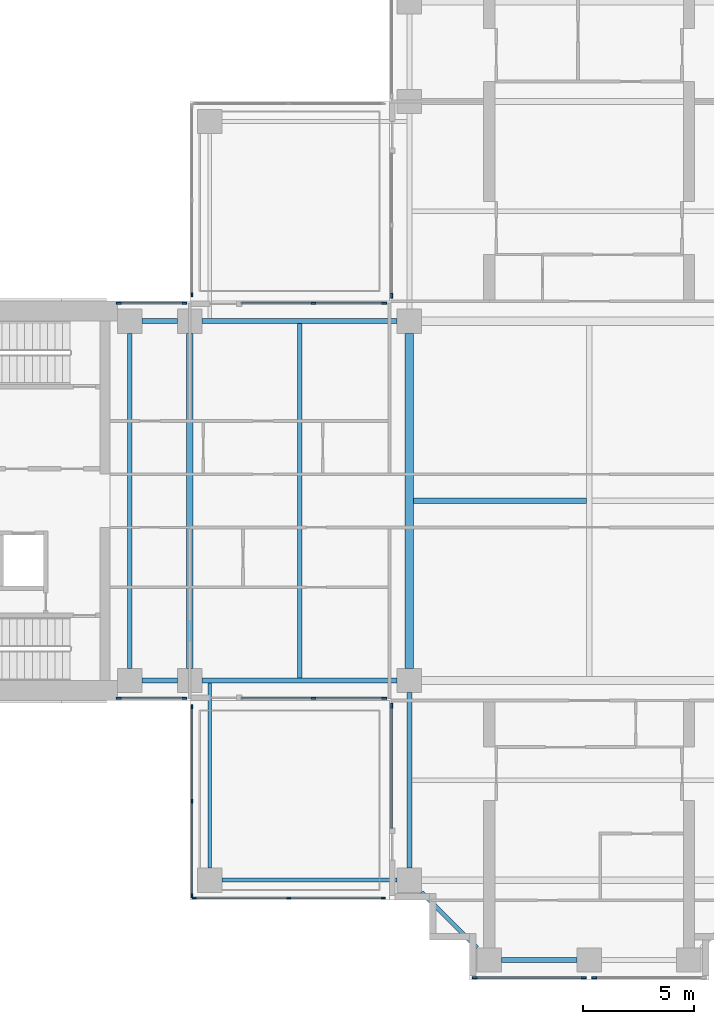
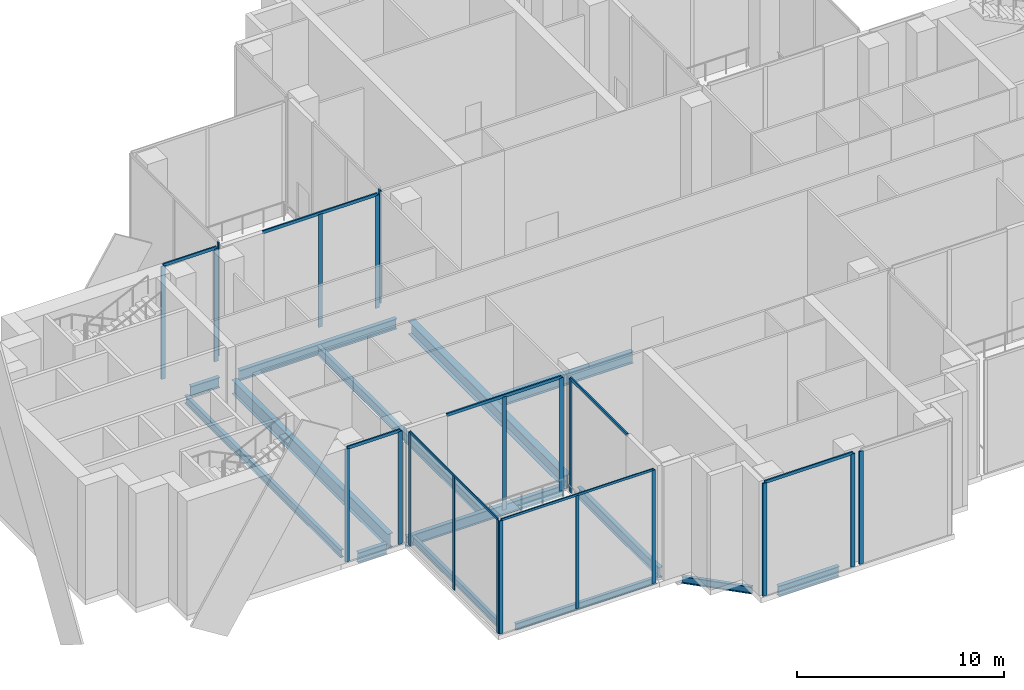
# One storey, part 2 of 17: 28 members, 14 beams, 11 elements without a shape of their own.
"""IFC4 building model written with IfcOpenShell, lengths in metres."""

import ifcopenshell
import ifcopenshell.guid

model = None  # the IFC model being written
_history = None  # IfcOwnerHistory: only IFC2X3 demands one
_inside = {}  # id of a spatial element -> (the spatial element, [elements in it])
_under = {}  # id of a project, library or spatial element -> (it, [spatial elements below it])
_declared = {}  # id of a project -> (the project, [libraries it declares])
_typed = {}  # id of a type object -> (the type object, [elements of that type])
_made_of = {}  # id of a material, layer set ... -> (it, [elements and type objects made of it])


def new_model(schema):
    """Start an empty IFC model of exactly this schema.

    Asked for "IFC4X3", IfcOpenShell would pick the latest addendum, in which some entities
    have other attributes; the version numbers below select the first issue.
    IFC2X3 requires an IfcOwnerHistory on every rooted entity: one is made here for all.
    """
    global model, _history
    if schema == "IFC4X3":
        model = ifcopenshell.file(schema_version=(4, 3, 0, 0))
    else:
        model = ifcopenshell.file(schema=schema)
    _inside.clear()
    _under.clear()
    _declared.clear()
    _typed.clear()
    _made_of.clear()
    _history = None
    if model.schema == "IFC2X3":
        org = make("IfcOrganization", Name="unknown")
        user = make(
            "IfcPersonAndOrganization",
            ThePerson=make("IfcPerson", FamilyName="unknown"),
            TheOrganization=org,
        )
        app = make(
            "IfcApplication",
            ApplicationDeveloper=org,
            Version="unknown",
            ApplicationFullName="unknown",
            ApplicationIdentifier="unknown",
        )
        _history = make(
            "IfcOwnerHistory",
            OwningUser=user,
            OwningApplication=app,
            ChangeAction="ADDED",
            CreationDate=0,
        )
    return model


def make(cls, **values):
    """One entity of the class cls with the attributes given. An attribute that is None is left unset."""
    return model.create_entity(
        cls, **{name: value for name, value in values.items() if value is not None}
    )


def rooted(cls, **values):
    """An entity with a GlobalId (a new one), such as an element, a storey or a relation."""
    return make(cls, GlobalId=ifcopenshell.guid.new(), OwnerHistory=_history, **values)


def si_unit(unit_type, name, prefix=None):
    """IfcSIUnit, for example si_unit("LENGTHUNIT", "METRE", prefix="MILLI")."""
    return make("IfcSIUnit", UnitType=unit_type, Prefix=prefix, Name=name)


def assignment(units):
    """IfcUnitAssignment: the units of a project."""
    return None if units is None else make("IfcUnitAssignment", Units=units)


def point(xyz):
    """IfcCartesianPoint."""
    return None if xyz is None else make("IfcCartesianPoint", Coordinates=xyz)


def direction(xyz):
    """IfcDirection."""
    return None if xyz is None else make("IfcDirection", DirectionRatios=xyz)


def frame(location, z_axis=None, x_axis=None):
    """IfcAxis2Placement3D, a coordinate frame: its origin and axes. An axis left out is left unset."""
    return make(
        "IfcAxis2Placement3D",
        Location=point(location),
        Axis=direction(z_axis),
        RefDirection=direction(x_axis),
    )


def frame_2d(location, x_axis=None):
    """IfcAxis2Placement2D, a coordinate frame in the plane: its origin and x axis."""
    return make(
        "IfcAxis2Placement2D", Location=point(location), RefDirection=direction(x_axis)
    )


def origin():
    """The frame at (0, 0, 0) with its axes left unset."""
    return frame((0.0, 0.0, 0.0))


def origin_2d():
    """The frame at (0, 0) in the plane with its x axis left unset."""
    return frame_2d((0.0, 0.0))


def place(relative_to, where):
    """IfcLocalPlacement: puts the frame where relative to a parent placement (None: the world)."""
    return make(
        "IfcLocalPlacement", PlacementRelTo=relative_to, RelativePlacement=where
    )


def context(
    kind, dimensions, precision=None, world=None, true_north=None, identifier=None
):
    """IfcGeometricRepresentationContext, for example the 3D "Model" context."""
    return make(
        "IfcGeometricRepresentationContext",
        ContextIdentifier=identifier,
        ContextType=kind,
        CoordinateSpaceDimension=dimensions,
        Precision=precision,
        WorldCoordinateSystem=world,
        TrueNorth=true_north,
    )


def subcontext(parent, identifier, kind, view, scale=None):
    """IfcGeometricRepresentationSubContext, for example "Body" below "Model"."""
    return make(
        "IfcGeometricRepresentationSubContext",
        ContextIdentifier=identifier,
        ContextType=kind,
        ParentContext=parent,
        TargetScale=scale,
        TargetView=view,
    )


def project(units=None, contexts=None):
    """IfcProject with its units and contexts."""
    return rooted(
        "IfcProject",
        Name="project",
        RepresentationContexts=contexts,
        UnitsInContext=assignment(units),
    )


def spatial(cls, under=None, at=None, **own):
    """A site, building, storey or space (cls), placed at a placement, below another one or the project."""
    s = rooted(cls, ObjectPlacement=at, **own)
    if under is not None:
        _under.setdefault(under.id(), (under, []))[1].append(s)
    return s


def profile(cls, at=None, kind="AREA", **sizes):
    """A parametric profile (cls). Its sizes go by their IFC names, for example OverallWidth=200.0."""
    return make(cls, ProfileType=kind, Position=at, **sizes)


def rectangle(**sizes):
    """IfcRectangleProfileDef."""
    return profile("IfcRectangleProfileDef", **sizes)


def i_section(**sizes):
    """IfcIShapeProfileDef."""
    return profile("IfcIShapeProfileDef", **sizes)


def extrude(swept, where, along, depth):
    """IfcExtrudedAreaSolid: the profile swept, set in the frame where, extruded along a direction by depth."""
    return make(
        "IfcExtrudedAreaSolid",
        SweptArea=swept,
        Position=where,
        ExtrudedDirection=direction(along),
        Depth=depth,
    )


def shape(context_of_items, identifier, shape_type, items):
    """IfcShapeRepresentation: the items that make up one representation, for example the "Body"."""
    return make(
        "IfcShapeRepresentation",
        ContextOfItems=context_of_items,
        RepresentationIdentifier=identifier,
        RepresentationType=shape_type,
        Items=items,
    )


def material(Name=None, Category=None):
    """IfcMaterial."""
    return make("IfcMaterial", Name=Name, Category=Category)


def material_profile(
    of_material, cross_section, Name=None, Category=None, Priority=None
):
    """IfcMaterialProfile: a cross section and its material."""
    return make(
        "IfcMaterialProfile",
        Name=Name,
        Material=of_material,
        Profile=cross_section,
        Priority=Priority,
        Category=Category,
    )


def profile_set(profiles, Name=None, composite=None):
    """IfcMaterialProfileSet."""
    return make(
        "IfcMaterialProfileSet",
        Name=Name,
        MaterialProfiles=profiles,
        CompositeProfile=composite,
    )


def made_of(thing, what):
    """Note that an element or type object is made of a material, layer set ...; save() writes the relation."""
    if what is not None:
        _made_of.setdefault(what.id(), (what, []))[1].append(thing)
    return thing


def type_object(cls, material=None, **own):
    """A type object (cls), such as IfcWallType, which elements share."""
    return made_of(rooted(cls, **own), material)


def element(
    cls,
    number,
    at=None,
    inside=None,
    cuts=None,
    type_object=None,
    material=None,
    context=None,
    identifier="Body",
    shape_type=None,
    held_by="IfcProductDefinitionShape",
    body=None,
    shapes=None,
    **own,
):
    """One element of the class cls, such as IfcWall. Its Tag is "e" and its number.

    at: its placement. inside: the storey or other place that contains it. cuts: it is an
    opening in that element (IfcRelVoidsElement). A single representation is given by context,
    identifier, shape_type and body (its items); several are given by shapes. held_by: the class
    of the entity that holds the representations. save() writes the other relations.
    """
    e = rooted(cls, Tag="e%d" % number, ObjectPlacement=at, **own)
    if body is not None:
        shapes = [shape(context, identifier, shape_type, body)]
    if shapes is not None:
        e.Representation = make(held_by, Representations=shapes)
    if inside is not None:
        _inside.setdefault(inside.id(), (inside, []))[1].append(e)
    if cuts is not None:
        rooted(
            "IfcRelVoidsElement", RelatingBuildingElement=cuts, RelatedOpeningElement=e
        )
    if type_object is not None:
        _typed.setdefault(type_object.id(), (type_object, []))[1].append(e)
    return made_of(e, material)


def aggregate(whole, parts):
    """IfcRelAggregates: a whole, such as a stair, and the parts it consists of."""
    return rooted("IfcRelAggregates", RelatingObject=whole, RelatedObjects=parts)


def save(model, path):
    """Write the relations noted so far, then the file.

    IfcRelAggregates (storeys below a building ...), IfcRelContainedInSpatialStructure (elements
    in a storey), IfcRelDefinesByType, IfcRelAssociatesMaterial and IfcRelDeclares: one each for
    every whole, place, type object, material and project.
    """
    for whole, parts in _under.values():
        aggregate(whole, parts)
    for where, things in _inside.values():
        rooted(
            "IfcRelContainedInSpatialStructure",
            RelatedElements=things,
            RelatingStructure=where,
        )
    for kind, things in _typed.values():
        rooted("IfcRelDefinesByType", RelatedObjects=things, RelatingType=kind)
    for what, things in _made_of.values():
        rooted("IfcRelAssociatesMaterial", RelatedObjects=things, RelatingMaterial=what)
    for by, libraries in _declared.values():
        rooted("IfcRelDeclares", RelatingContext=by, RelatedDefinitions=libraries)
    model.write(path)


model = new_model("IFC4")

# Units and contexts
model_context = context("Model", 3, precision=1e-05, world=origin(), true_north=direction((0.0, 1.0)))
body_context = subcontext(model_context, "Body", "Model", "MODEL_VIEW")
ifc_project = project(units=[si_unit("LENGTHUNIT", "METRE"), si_unit("AREAUNIT", "SQUARE_METRE"), si_unit("VOLUMEUNIT", "CUBIC_METRE"), si_unit("PLANEANGLEUNIT", "RADIAN"), si_unit("MASSUNIT", "GRAM", prefix="KILO")], contexts=[model_context])

# Site, building, storey
site_placement = place(None, origin())
site = spatial("IfcSite", under=ifc_project, at=site_placement, CompositionType="ELEMENT")
building_placement = place(site_placement, origin())
building = spatial("IfcBuilding", under=site, at=building_placement, Name="Perihelion Cross Residences", CompositionType="ELEMENT")
storey_placement = place(building_placement, frame((0.0, 0.0, 154.89990234375)))
storey = spatial("IfcBuildingStorey", under=building, at=storey_placement, Name="L38", CompositionType="ELEMENT", Elevation=154.89990234375)

# Curtain wall, member
ifc_material_1 = material(Name="Bronze anodised aluminium, tinted glazing", Category="aluminium")
curtain_wall_type_1 = type_object("IfcCurtainWallType", Name="CW3", PredefinedType="NOTDEFINED", material=ifc_material_1)
curtain_wall_1_placement = place(storey_placement, origin())
curtain_wall_1 = element("IfcCurtainWall", 1, at=curtain_wall_1_placement, inside=storey, type_object=curtain_wall_type_1, Name="Curtain wall CW3 L38 north side west bay 2", PredefinedType="NOTDEFINED")
ifc_material_2 = material(Name="Bronze anodised aluminium", Category="aluminium")
ifc_material_profile_1 = material_profile(ifc_material_2, rectangle(XDim=0.080078125, YDim=0.219970703125, at=origin_2d()), Name="CW3 mullion")
ifc_profile_set_1 = profile_set([ifc_material_profile_1], Name="Bronze anodised aluminium")
member_type_1 = type_object("IfcMemberType", Name="CW3 mullion", PredefinedType="MULLION", material=ifc_profile_set_1)
member_1_placement = place(storey_placement, frame((-8.89990234375, 9.239990234375, 0.0), z_axis=(0.0, 0.0, 1.0), x_axis=(1.0, 0.0, 0.0)))
member_1 = element("IfcMember", 2, at=member_1_placement, type_object=member_type_1, Name="CW3 mullion 3", PredefinedType="MULLION", context=body_context, shape_type="SweptSolid", body=[
    extrude(rectangle(XDim=0.080078125, YDim=0.219970703125, at=origin_2d()), origin(), (0.0, 0.0, 1.0), 6.670166015625),
])
aggregate(curtain_wall_1, [member_1])

# Curtain wall, members
curtain_wall_2_placement = place(storey_placement, origin())
curtain_wall_2 = element("IfcCurtainWall", 3, at=curtain_wall_2_placement, inside=storey, type_object=curtain_wall_type_1, Name="Curtain wall CW3 L38 west side north bay 1", PredefinedType="NOTDEFINED")
member_2_placement = place(storey_placement, frame((-9.239990234375, 8.89990234375, 0.0), z_axis=(0.0, 0.0, 1.0), x_axis=(0.0, -1.0, 0.0)))
member_2 = element("IfcMember", 4, at=member_2_placement, type_object=member_type_1, Name="CW3 mullion 1", PredefinedType="MULLION", context=body_context, shape_type="SweptSolid", body=[
    extrude(rectangle(XDim=0.080078125, YDim=0.219970703125, at=origin_2d()), origin(), (0.0, 0.0, 1.0), 6.670166015625),
])
member_3_placement = place(storey_placement, frame((-12.425048828125, 8.89990234375, 0.0), z_axis=(0.0, 0.0, 1.0), x_axis=(0.0, -1.0, 0.0)))
member_3 = element("IfcMember", 5, at=member_3_placement, type_object=member_type_1, Name="CW3 mullion 2", PredefinedType="MULLION", context=body_context, shape_type="SweptSolid", body=[
    extrude(rectangle(XDim=0.080078125, YDim=0.219970703125, at=origin_2d()), origin(), (0.0, 0.0, 1.0), 6.670166015625),
])

curtain_wall_3_placement = place(storey_placement, origin())
curtain_wall_3 = element("IfcCurtainWall", 6, at=curtain_wall_3_placement, inside=storey, type_object=curtain_wall_type_1, Name="Curtain wall CW3 L38 west side north bay 2", PredefinedType="NOTDEFINED")
member_4_placement = place(storey_placement, frame((-18.239990234375, 8.89990234375, 0.0), z_axis=(0.0, 0.0, 1.0), x_axis=(0.0, -1.0, 0.0)))
member_4 = element("IfcMember", 7, at=member_4_placement, type_object=member_type_1, Name="CW3 mullion 1", PredefinedType="MULLION", context=body_context, shape_type="SweptSolid", body=[
    extrude(rectangle(XDim=0.080078125, YDim=0.219970703125, at=origin_2d()), origin(), (0.0, 0.0, 1.0), 6.670166015625),
])
member_5_placement = place(storey_placement, frame((-21.2099609375, 8.89990234375, 0.0), z_axis=(0.0, 0.0, 1.0), x_axis=(0.0, -1.0, 0.0)))
member_5 = element("IfcMember", 8, at=member_5_placement, type_object=member_type_1, Name="CW3 mullion 2", PredefinedType="MULLION", context=body_context, shape_type="SweptSolid", body=[
    extrude(rectangle(XDim=0.080078125, YDim=0.219970703125, at=origin_2d()), origin(), (0.0, 0.0, 1.0), 6.670166015625),
])

curtain_wall_4_placement = place(storey_placement, origin())
curtain_wall_4 = element("IfcCurtainWall", 9, at=curtain_wall_4_placement, inside=storey, type_object=curtain_wall_type_1, Name="Curtain wall CW3 L38 west side south bay 1", PredefinedType="NOTDEFINED")
member_6_placement = place(storey_placement, frame((-21.2099609375, -8.89990234375, 0.0), z_axis=(0.0, 0.0, 1.0), x_axis=(0.0, 1.0, 0.0)))
member_6 = element("IfcMember", 10, at=member_6_placement, type_object=member_type_1, Name="CW3 mullion 1", PredefinedType="MULLION", context=body_context, shape_type="SweptSolid", body=[
    extrude(rectangle(XDim=0.080078125, YDim=0.219970703125, at=origin_2d()), origin(), (0.0, 0.0, 1.0), 6.670166015625),
])
member_7_placement = place(storey_placement, frame((-18.239990234375, -8.89990234375, 0.0), z_axis=(0.0, 0.0, 1.0), x_axis=(0.0, 1.0, 0.0)))
member_7 = element("IfcMember", 11, at=member_7_placement, type_object=member_type_1, Name="CW3 mullion 2", PredefinedType="MULLION", context=body_context, shape_type="SweptSolid", body=[
    extrude(rectangle(XDim=0.080078125, YDim=0.219970703125, at=origin_2d()), origin(), (0.0, 0.0, 1.0), 6.670166015625),
])

curtain_wall_5_placement = place(storey_placement, origin())
curtain_wall_5 = element("IfcCurtainWall", 12, at=curtain_wall_5_placement, inside=storey, type_object=curtain_wall_type_1, Name="Curtain wall CW3 L38 west side south bay 2", PredefinedType="NOTDEFINED")
member_8_placement = place(storey_placement, frame((-12.425048828125, -8.89990234375, 0.0), z_axis=(0.0, 0.0, 1.0), x_axis=(0.0, 1.0, 0.0)))
member_8 = element("IfcMember", 13, at=member_8_placement, type_object=member_type_1, Name="CW3 mullion 2", PredefinedType="MULLION", context=body_context, shape_type="SweptSolid", body=[
    extrude(rectangle(XDim=0.080078125, YDim=0.219970703125, at=origin_2d()), origin(), (0.0, 0.0, 1.0), 6.670166015625),
])
member_9_placement = place(storey_placement, frame((-9.239990234375, -8.89990234375, 0.0), z_axis=(0.0, 0.0, 1.0), x_axis=(0.0, 1.0, 0.0)))
member_9 = element("IfcMember", 14, at=member_9_placement, type_object=member_type_1, Name="CW3 mullion 3", PredefinedType="MULLION", context=body_context, shape_type="SweptSolid", body=[
    extrude(rectangle(XDim=0.080078125, YDim=0.219970703125, at=origin_2d()), origin(), (0.0, 0.0, 1.0), 6.670166015625),
])

# Curtain wall, member
curtain_wall_6_placement = place(storey_placement, origin())
curtain_wall_6 = element("IfcCurtainWall", 15, at=curtain_wall_6_placement, inside=storey, type_object=curtain_wall_type_1, Name="Curtain wall CW3 L38 south side west bay 1", PredefinedType="NOTDEFINED")
member_10_placement = place(storey_placement, frame((-8.89990234375, -9.239990234375, 0.0), z_axis=(0.0, 0.0, 1.0), x_axis=(1.0, 0.0, 0.0)))
member_10 = element("IfcMember", 16, at=member_10_placement, type_object=member_type_1, Name="CW3 mullion 1", PredefinedType="MULLION", context=body_context, shape_type="SweptSolid", body=[
    extrude(rectangle(XDim=0.080078125, YDim=0.219970703125, at=origin_2d()), origin(), (0.0, 0.0, 1.0), 6.670166015625),
])

# Curtain wall, members
curtain_wall_7_placement = place(storey_placement, origin())
curtain_wall_7 = element("IfcCurtainWall", 17, at=curtain_wall_7_placement, inside=storey, type_object=curtain_wall_type_1, Name="Curtain wall CW3 L38 south tip south bay 1", PredefinedType="NOTDEFINED")
member_11_placement = place(storey_placement, frame((-5.159912109375, -21.5, 0.0), z_axis=(0.0, 0.0, 1.0), x_axis=(0.0, 1.0, 0.0)))
member_11 = element("IfcMember", 18, at=member_11_placement, type_object=member_type_1, Name="CW3 mullion 1", PredefinedType="MULLION", context=body_context, shape_type="SweptSolid", body=[
    extrude(rectangle(XDim=0.080078125, YDim=0.219970703125, at=origin_2d()), origin(), (0.0, 0.0, 1.0), 6.670166015625),
])
member_12_placement = place(storey_placement, frame((-0.239990234375, -21.5, 0.0), z_axis=(0.0, 0.0, 1.0), x_axis=(0.0, 1.0, 0.0)))
member_12 = element("IfcMember", 19, at=member_12_placement, type_object=member_type_1, Name="CW3 mullion 2", PredefinedType="MULLION", context=body_context, shape_type="SweptSolid", body=[
    extrude(rectangle(XDim=0.080078125, YDim=0.219970703125, at=origin_2d()), origin(), (0.0, 0.0, 1.0), 6.670166015625),
])

# Curtain wall, member
curtain_wall_8_placement = place(storey_placement, origin())
curtain_wall_8 = element("IfcCurtainWall", 20, at=curtain_wall_8_placement, inside=storey, type_object=curtain_wall_type_1, Name="Curtain wall CW3 L38 south tip south bay 2", PredefinedType="NOTDEFINED")
member_13_placement = place(storey_placement, frame((0.239990234375, -21.5, 0.0), z_axis=(0.0, 0.0, 1.0), x_axis=(0.0, 1.0, 0.0)))
member_13 = element("IfcMember", 21, at=member_13_placement, type_object=member_type_1, Name="CW3 mullion 1", PredefinedType="MULLION", context=body_context, shape_type="SweptSolid", body=[
    extrude(rectangle(XDim=0.080078125, YDim=0.219970703125, at=origin_2d()), origin(), (0.0, 0.0, 1.0), 6.670166015625),
])
aggregate(curtain_wall_8, [member_13])

# Member
ifc_material_3 = material(Name="Bronze anodised aluminium", Category="aluminium")
ifc_material_profile_2 = material_profile(ifc_material_3, rectangle(XDim=0.080078125, YDim=0.179931640625, at=origin_2d()), Name="CW3 transom")
ifc_profile_set_2 = profile_set([ifc_material_profile_2], Name="Bronze anodised aluminium")
member_type_2 = type_object("IfcMemberType", Name="CW3 transom", PredefinedType="USERDEFINED", material=ifc_profile_set_2)
member_14_placement = place(storey_placement, frame((-9.239990234375, 8.89990234375, 6.710205078125), z_axis=(-1.0, 0.0, 0.0), x_axis=(0.0, -1.0, 0.0)))
member_14 = element("IfcMember", 22, at=member_14_placement, type_object=member_type_2, Name="CW3 head transom", ObjectType="TRANSOM", PredefinedType="USERDEFINED", context=body_context, shape_type="SweptSolid", body=[
    extrude(rectangle(XDim=0.080078125, YDim=0.179931640625, at=origin_2d()), origin(), (0.0, 0.0, 1.0), 6.409912109375),
])

aggregate(curtain_wall_2, [member_2, member_3, member_14])

member_15_placement = place(storey_placement, frame((-18.239990234375, 8.89990234375, 6.710205078125), z_axis=(-1.0, 0.0, 0.0), x_axis=(0.0, -1.0, 0.0)))
member_15 = element("IfcMember", 23, at=member_15_placement, type_object=member_type_2, Name="CW3 head transom", ObjectType="TRANSOM", PredefinedType="USERDEFINED", context=body_context, shape_type="SweptSolid", body=[
    extrude(rectangle(XDim=0.080078125, YDim=0.179931640625, at=origin_2d()), origin(), (0.0, 0.0, 1.0), 2.969970703125),
])

aggregate(curtain_wall_3, [member_4, member_5, member_15])

member_16_placement = place(storey_placement, frame((-21.2099609375, -8.89990234375, 6.710205078125), z_axis=(1.0, 0.0, 0.0), x_axis=(0.0, 1.0, 0.0)))
member_16 = element("IfcMember", 24, at=member_16_placement, type_object=member_type_2, Name="CW3 head transom", ObjectType="TRANSOM", PredefinedType="USERDEFINED", context=body_context, shape_type="SweptSolid", body=[
    extrude(rectangle(XDim=0.080078125, YDim=0.179931640625, at=origin_2d()), origin(), (0.0, 0.0, 1.0), 2.969970703125),
])

aggregate(curtain_wall_4, [member_6, member_7, member_16])

member_17_placement = place(storey_placement, frame((-15.64990234375, -8.89990234375, 6.710205078125), z_axis=(1.0, 0.0, 0.0), x_axis=(0.0, 1.0, 0.0)))
member_17 = element("IfcMember", 25, at=member_17_placement, type_object=member_type_2, Name="CW3 head transom", ObjectType="TRANSOM", PredefinedType="USERDEFINED", context=body_context, shape_type="SweptSolid", body=[
    extrude(rectangle(XDim=0.080078125, YDim=0.179931640625, at=origin_2d()), origin(), (0.0, 0.0, 1.0), 6.409912109375),
])

aggregate(curtain_wall_5, [member_8, member_9, member_17])

member_18_placement = place(storey_placement, frame((-8.89990234375, -9.239990234375, 6.710205078125), z_axis=(0.0, -1.0, 0.0), x_axis=(1.0, 0.0, 0.0)))
member_18 = element("IfcMember", 26, at=member_18_placement, type_object=member_type_2, Name="CW3 head transom", ObjectType="TRANSOM", PredefinedType="USERDEFINED", context=body_context, shape_type="SweptSolid", body=[
    extrude(rectangle(XDim=0.080078125, YDim=0.179931640625, at=origin_2d()), origin(), (0.0, 0.0, 1.0), 5.510009765625),
])

aggregate(curtain_wall_6, [member_10, member_18])

member_19_placement = place(storey_placement, frame((-5.159912109375, -21.5, 6.710205078125), z_axis=(1.0, 0.0, 0.0), x_axis=(0.0, 1.0, 0.0)))
member_19 = element("IfcMember", 27, at=member_19_placement, type_object=member_type_2, Name="CW3 head transom", ObjectType="TRANSOM", PredefinedType="USERDEFINED", context=body_context, shape_type="SweptSolid", body=[
    extrude(rectangle(XDim=0.080078125, YDim=0.179931640625, at=origin_2d()), origin(), (0.0, 0.0, 1.0), 4.919921875),
])

aggregate(curtain_wall_7, [member_11, member_12, member_19])

# Curtain wall, member
ifc_material_4 = material(Name="Bronze anodised aluminium, tinted glazing", Category="aluminium")
curtain_wall_type_2 = type_object("IfcCurtainWallType", Name="CW4", PredefinedType="NOTDEFINED", material=ifc_material_4)
curtain_wall_9_placement = place(storey_placement, origin())
curtain_wall_9 = element("IfcCurtainWall", 28, at=curtain_wall_9_placement, inside=storey, type_object=curtain_wall_type_2, Name="Curtain wall CW4 L38 pocket north-west 1 1", PredefinedType="NOTDEFINED")
ifc_material_5 = material(Name="Bronze anodised aluminium", Category="aluminium")
ifc_material_profile_3 = material_profile(ifc_material_5, rectangle(XDim=0.06005859375, YDim=0.179931640625, at=origin_2d()), Name="CW4 mullion")
ifc_profile_set_3 = profile_set([ifc_material_profile_3], Name="Bronze anodised aluminium")
member_type_3 = type_object("IfcMemberType", Name="CW4 mullion", PredefinedType="MULLION", material=ifc_profile_set_3)
member_20_placement = place(storey_placement, frame((-17.89990234375, 9.280029296875, 0.0), z_axis=(0.0, 0.0, 1.0), x_axis=(-1.0, 0.0, 0.0)))
member_20 = element("IfcMember", 29, at=member_20_placement, type_object=member_type_3, Name="CW4 mullion 1", PredefinedType="MULLION", context=body_context, shape_type="SweptSolid", body=[
    extrude(rectangle(XDim=0.06005859375, YDim=0.179931640625, at=origin_2d()), origin(), (0.0, 0.0, 1.0), 6.690185546875),
])
aggregate(curtain_wall_9, [member_20])

# Curtain wall, members
curtain_wall_10_placement = place(storey_placement, origin())
curtain_wall_10 = element("IfcCurtainWall", 30, at=curtain_wall_10_placement, inside=storey, type_object=curtain_wall_type_2, Name="Curtain wall CW4 L38 pocket south-west 1 1", PredefinedType="NOTDEFINED")
member_21_placement = place(storey_placement, frame((-9.280029296875, -17.89990234375, 0.0), z_axis=(0.0, 0.0, 1.0), x_axis=(0.0, -1.0, 0.0)))
member_21 = element("IfcMember", 31, at=member_21_placement, type_object=member_type_3, Name="CW4 mullion 1", PredefinedType="MULLION", context=body_context, shape_type="SweptSolid", body=[
    extrude(rectangle(XDim=0.06005859375, YDim=0.179931640625, at=origin_2d()), origin(), (0.0, 0.0, 1.0), 6.690185546875),
])
member_22_placement = place(storey_placement, frame((-13.5400390625, -17.89990234375, 0.0), z_axis=(0.0, 0.0, 1.0), x_axis=(0.0, -1.0, 0.0)))
member_22 = element("IfcMember", 32, at=member_22_placement, type_object=member_type_3, Name="CW4 mullion 2", PredefinedType="MULLION", context=body_context, shape_type="SweptSolid", body=[
    extrude(rectangle(XDim=0.06005859375, YDim=0.179931640625, at=origin_2d()), origin(), (0.0, 0.0, 1.0), 6.690185546875),
])
member_23_placement = place(storey_placement, frame((-17.800048828125, -17.89990234375, 0.0), z_axis=(0.0, 0.0, 1.0), x_axis=(0.0, -1.0, 0.0)))
member_23 = element("IfcMember", 33, at=member_23_placement, type_object=member_type_3, Name="CW4 mullion 3", PredefinedType="MULLION", context=body_context, shape_type="SweptSolid", body=[
    extrude(rectangle(XDim=0.06005859375, YDim=0.179931640625, at=origin_2d()), origin(), (0.0, 0.0, 1.0), 6.690185546875),
])

curtain_wall_11_placement = place(storey_placement, origin())
curtain_wall_11 = element("IfcCurtainWall", 34, at=curtain_wall_11_placement, inside=storey, type_object=curtain_wall_type_2, Name="Curtain wall CW4 L38 pocket south-west 1 2", PredefinedType="NOTDEFINED")
member_24_placement = place(storey_placement, frame((-17.89990234375, -17.800048828125, 0.0), z_axis=(0.0, 0.0, 1.0), x_axis=(-1.0, 0.0, 0.0)))
member_24 = element("IfcMember", 35, at=member_24_placement, type_object=member_type_3, Name="CW4 mullion 1", PredefinedType="MULLION", context=body_context, shape_type="SweptSolid", body=[
    extrude(rectangle(XDim=0.06005859375, YDim=0.179931640625, at=origin_2d()), origin(), (0.0, 0.0, 1.0), 6.690185546875),
])
member_25_placement = place(storey_placement, frame((-17.89990234375, -13.5400390625, 0.0), z_axis=(0.0, 0.0, 1.0), x_axis=(-1.0, 0.0, 0.0)))
member_25 = element("IfcMember", 36, at=member_25_placement, type_object=member_type_3, Name="CW4 mullion 2", PredefinedType="MULLION", context=body_context, shape_type="SweptSolid", body=[
    extrude(rectangle(XDim=0.06005859375, YDim=0.179931640625, at=origin_2d()), origin(), (0.0, 0.0, 1.0), 6.690185546875),
])
member_26_placement = place(storey_placement, frame((-17.89990234375, -9.280029296875, 0.0), z_axis=(0.0, 0.0, 1.0), x_axis=(-1.0, 0.0, 0.0)))
member_26 = element("IfcMember", 37, at=member_26_placement, type_object=member_type_3, Name="CW4 mullion 3", PredefinedType="MULLION", context=body_context, shape_type="SweptSolid", body=[
    extrude(rectangle(XDim=0.06005859375, YDim=0.179931640625, at=origin_2d()), origin(), (0.0, 0.0, 1.0), 6.690185546875),
])

# Member
ifc_material_6 = material(Name="Bronze anodised aluminium", Category="aluminium")
ifc_material_profile_4 = material_profile(ifc_material_6, rectangle(XDim=0.06005859375, YDim=0.139892578125, at=origin_2d()), Name="CW4 transom")
ifc_profile_set_4 = profile_set([ifc_material_profile_4], Name="Bronze anodised aluminium")
member_type_4 = type_object("IfcMemberType", Name="CW4 transom", PredefinedType="USERDEFINED", material=ifc_profile_set_4)
member_27_placement = place(storey_placement, frame((-9.280029296875, -17.89990234375, 6.72021484375), z_axis=(-1.0, 0.0, 0.0), x_axis=(0.0, -1.0, 0.0)))
member_27 = element("IfcMember", 38, at=member_27_placement, type_object=member_type_4, Name="CW4 head transom", ObjectType="TRANSOM", PredefinedType="USERDEFINED", context=body_context, shape_type="SweptSolid", body=[
    extrude(rectangle(XDim=0.06005859375, YDim=0.139892578125, at=origin_2d()), origin(), (0.0, 0.0, 1.0), 8.52001953125),
])

aggregate(curtain_wall_10, [member_21, member_22, member_23, member_27])

member_28_placement = place(storey_placement, frame((-17.89990234375, -17.800048828125, 6.72021484375), z_axis=(0.0, 1.0, 0.0), x_axis=(-1.0, 0.0, 0.0)))
member_28 = element("IfcMember", 39, at=member_28_placement, type_object=member_type_4, Name="CW4 head transom", ObjectType="TRANSOM", PredefinedType="USERDEFINED", context=body_context, shape_type="SweptSolid", body=[
    extrude(rectangle(XDim=0.06005859375, YDim=0.139892578125, at=origin_2d()), origin(), (0.0, 0.0, 1.0), 8.52001953125),
])

aggregate(curtain_wall_11, [member_24, member_25, member_26, member_28])

# Beams
ifc_material_7 = material(Name="Steel S355", Category="steel")
ifc_material_profile_5 = material_profile(ifc_material_7, i_section(OverallWidth=0.177978515625, OverallDepth=0.406005859375, WebThickness=0.0078125, FlangeThickness=0.0126953125, at=origin_2d()), Name="W410x60")
ifc_profile_set_5 = profile_set([ifc_material_profile_5], Name="Steel S355")
beam_type_1 = type_object("IfcBeamType", Name="Core edge beam W410x60", PredefinedType="BEAM", material=ifc_profile_set_5)
beam_1_placement = place(storey_placement, frame((-17.10009765625, -8.214599609375, -0.5029296875), z_axis=(0.0, -1.0, 0.0), x_axis=(1.0, 0.0, 0.0)))
element("IfcBeam", 40, at=beam_1_placement, inside=storey, type_object=beam_type_1, Name="Core edge beam TB2 L38 corner no. 1", PredefinedType="BEAM", context=body_context, shape_type="SweptSolid", body=[
    extrude(i_section(OverallWidth=0.177978515625, OverallDepth=0.406005859375, WebThickness=0.0078125, FlangeThickness=0.0126953125, at=origin_2d()), origin(), (0.0, 0.0, 1.0), 8.33544921875),
])
beam_2_placement = place(storey_placement, frame((-8.64990234375, -17.10009765625, -0.5029296875), z_axis=(-1.0, 0.0, 0.0), x_axis=(0.0, -1.0, 0.0)))
element("IfcBeam", 41, at=beam_2_placement, inside=storey, type_object=beam_type_1, Name="Core edge beam TB2 L38 corner no. 2", PredefinedType="BEAM", context=body_context, shape_type="SweptSolid", body=[
    extrude(i_section(OverallWidth=0.177978515625, OverallDepth=0.406005859375, WebThickness=0.0078125, FlangeThickness=0.0126953125, at=origin_2d()), origin(), (0.0, 0.0, 1.0), 7.900146484375),
])
ifc_material_8 = material(Name="Steel S355", Category="steel")
ifc_material_profile_6 = material_profile(ifc_material_8, i_section(OverallWidth=0.194091796875, OverallDepth=0.469970703125, WebThickness=0.0126953125, FlangeThickness=0.0205078125, at=origin_2d()), Name="W460x106")
ifc_profile_set_6 = profile_set([ifc_material_profile_6], Name="Steel S355")
beam_type_2 = type_object("IfcBeamType", Name="Core edge beam W460x106", PredefinedType="BEAM", material=ifc_profile_set_6)
beam_3_placement = place(storey_placement, frame((-20.699951171875, -7.550048828125, -0.534912109375), z_axis=(0.0, 1.0, 0.0), x_axis=(-1.0, 0.0, 0.0)))
element("IfcBeam", 42, at=beam_3_placement, inside=storey, type_object=beam_type_2, Name="Core edge beam TB5 L38 no. 1", PredefinedType="BEAM", context=body_context, shape_type="SweptSolid", body=[
    extrude(i_section(OverallWidth=0.194091796875, OverallDepth=0.469970703125, WebThickness=0.0126953125, FlangeThickness=0.0205078125, at=origin_2d()), origin(), (0.0, 0.0, 1.0), 15.10009765625),
])
ifc_material_9 = material(Name="Steel S355", Category="steel")
ifc_material_profile_7 = material_profile(ifc_material_9, i_section(OverallWidth=0.22900390625, OverallDepth=0.612060546875, WebThickness=0.011962890625, FlangeThickness=0.01953125, at=origin_2d()), Name="W610x125")
ifc_profile_set_7 = profile_set([ifc_material_profile_7], Name="Steel S355")
beam_type_3 = type_object("IfcBeamType", Name="Edge beam W610x125", PredefinedType="SPANDREL", material=ifc_profile_set_7)
beam_4_placement = place(storey_placement, frame((-8.64990234375, 8.10009765625, -0.60595703125), z_axis=(-1.0, 0.0, 0.0), x_axis=(0.0, -1.0, 0.0)))
element("IfcBeam", 43, at=beam_4_placement, inside=storey, type_object=beam_type_3, Name="Edge beam SB3 L38 no. 8", PredefinedType="SPANDREL", context=body_context, shape_type="SweptSolid", body=[
    extrude(i_section(OverallWidth=0.22900390625, OverallDepth=0.612060546875, WebThickness=0.011962890625, FlangeThickness=0.01953125, at=origin_2d()), origin(), (0.0, 0.0, 1.0), 8.800048828125),
])
for number, where, z_axis, x_axis, name in (
    (44, (-18.550048828125, 8.10009765625, -0.60595703125), (-1.0, 0.0, 0.0), (0.0, -1.0, 0.0), "Edge beam SB3 L38 no. 2"),
    (45, (-20.14990234375, -8.10009765625, -0.60595703125), (1.0, 0.0, 0.0), (0.0, 1.0, 0.0), "Edge beam SB3 L38 no. 3"),
):
    element("IfcBeam", number, at=place(storey_placement, frame(where, z_axis=z_axis, x_axis=x_axis)), inside=storey, type_object=beam_type_3, Name=name, PredefinedType="SPANDREL", context=body_context, shape_type="SweptSolid", body=[
        extrude(i_section(OverallWidth=0.22900390625, OverallDepth=0.612060546875, WebThickness=0.011962890625, FlangeThickness=0.01953125, at=origin_2d()), origin(), (0.0, 0.0, 1.0), 1.599853515625),
    ])
beam_5_placement = place(storey_placement, frame((-17.449951171875, -8.10009765625, -0.60595703125), z_axis=(1.0, 0.0, 0.0), x_axis=(0.0, 1.0, 0.0)))
element("IfcBeam", 46, at=beam_5_placement, inside=storey, type_object=beam_type_3, Name="Edge beam SB3 L38 no. 1", PredefinedType="SPANDREL", context=body_context, shape_type="SweptSolid", body=[
    extrude(i_section(OverallWidth=0.22900390625, OverallDepth=0.612060546875, WebThickness=0.011962890625, FlangeThickness=0.01953125, at=origin_2d()), origin(), (0.0, 0.0, 1.0), 8.800048828125),
])
beam_6_placement = place(storey_placement, frame((-8.10009765625, -8.64990234375, -0.60595703125), z_axis=(0.0, -1.0, 0.0), x_axis=(1.0, 0.0, 0.0)))
element("IfcBeam", 47, at=beam_6_placement, inside=storey, type_object=beam_type_3, Name="Edge beam SB3 L38 no. 5", PredefinedType="SPANDREL", context=body_context, shape_type="SweptSolid", body=[
    extrude(i_section(OverallWidth=0.22900390625, OverallDepth=0.612060546875, WebThickness=0.011962890625, FlangeThickness=0.01953125, at=origin_2d()), origin(), (0.0, 0.0, 1.0), 7.900146484375),
])
beam_7_placement = place(storey_placement, frame((-3.949951171875, -20.699951171875, -0.60595703125), z_axis=(1.0, 0.0, 0.0), x_axis=(0.0, 1.0, 0.0)))
element("IfcBeam", 48, at=beam_7_placement, inside=storey, type_object=beam_type_3, Name="Edge beam SB3 L38 no. 4", PredefinedType="SPANDREL", context=body_context, shape_type="SweptSolid", body=[
    extrude(i_section(OverallWidth=0.22900390625, OverallDepth=0.612060546875, WebThickness=0.011962890625, FlangeThickness=0.01953125, at=origin_2d()), origin(), (0.0, 0.0, 1.0), 3.39990234375),
])
ifc_material_10 = material(Name="Steel S355", Category="steel")
ifc_material_profile_8 = material_profile(ifc_material_10, i_section(OverallWidth=0.2919921875, OverallDepth=0.8359375, WebThickness=0.013916015625, FlangeThickness=0.018798828125, at=origin_2d()), Name="W840x176")
ifc_profile_set_8 = profile_set([ifc_material_profile_8], Name="Steel S355")
beam_type_4 = type_object("IfcBeamType", Name="Floor girder W840x176", PredefinedType="BEAM", material=ifc_profile_set_8)
beam_8_placement = place(storey_placement, frame((-18.0, -7.550048828125, -0.718017578125), z_axis=(0.0, 1.0, 0.0), x_axis=(-1.0, 0.0, 0.0)))
element("IfcBeam", 49, at=beam_8_placement, inside=storey, type_object=beam_type_4, Name="Girder G3 L38 no. 1", PredefinedType="BEAM", context=body_context, shape_type="SweptSolid", body=[
    extrude(i_section(OverallWidth=0.2919921875, OverallDepth=0.8359375, WebThickness=0.013916015625, FlangeThickness=0.018798828125, at=origin_2d()), origin(), (0.0, 0.0, 1.0), 15.10009765625),
])
ifc_material_11 = material(Name="Steel S355", Category="steel")
ifc_material_profile_9 = material_profile(ifc_material_11, i_section(OverallWidth=0.208984375, OverallDepth=0.532958984375, WebThickness=0.01025390625, FlangeThickness=0.015625, at=origin_2d()), Name="W530x92")
ifc_profile_set_9 = profile_set([ifc_material_profile_9], Name="Steel S355")
beam_type_5 = type_object("IfcBeamType", Name="Floor joist W530x92", PredefinedType="JOIST", material=ifc_profile_set_9)
beam_9_placement = place(storey_placement, frame((-13.050048828125, -7.985595703125, -0.56640625), z_axis=(0.0, 1.0, 0.0), x_axis=(-1.0, 0.0, 0.0)))
element("IfcBeam", 50, at=beam_9_placement, inside=storey, type_object=beam_type_5, Name="Joist J4 L38 no. 1", PredefinedType="JOIST", context=body_context, shape_type="SweptSolid", body=[
    extrude(i_section(OverallWidth=0.208984375, OverallDepth=0.532958984375, WebThickness=0.01025390625, FlangeThickness=0.015625, at=origin_2d()), origin(), (0.0, 0.0, 1.0), 15.97119140625),
])
ifc_material_12 = material(Name="Steel S355", Category="steel")
ifc_material_profile_10 = material_profile(ifc_material_12, i_section(OverallWidth=0.257080078125, OverallDepth=0.693115234375, WebThickness=0.014404296875, FlangeThickness=0.023681640625, at=origin_2d()), Name="W690x170")
ifc_profile_set_10 = profile_set([ifc_material_profile_10], Name="Steel S355")
beam_type_6 = type_object("IfcBeamType", Name="Hub cross beam W690x170", PredefinedType="BEAM", material=ifc_profile_set_10)
beam_10_placement = place(storey_placement, frame((-7.909423828125, 0.0, -0.646484375), z_axis=(1.0, 0.0, 0.0), x_axis=(0.0, 1.0, 0.0)))
element("IfcBeam", 51, at=beam_10_placement, inside=storey, type_object=beam_type_6, Name="Hub cross beam XB3 L38 1 no. 1", PredefinedType="BEAM", context=body_context, shape_type="SweptSolid", body=[
    extrude(i_section(OverallWidth=0.257080078125, OverallDepth=0.693115234375, WebThickness=0.014404296875, FlangeThickness=0.023681640625, at=origin_2d()), origin(), (0.0, 0.0, 1.0), 7.781005859375),
])
ifc_material_13 = material(Name="Steel S355", Category="steel")
ifc_material_profile_11 = material_profile(ifc_material_13, i_section(OverallWidth=0.381103515625, OverallDepth=0.77197265625, WebThickness=0.0166015625, FlangeThickness=0.027099609375, at=origin_2d()), Name="W760x257")
ifc_profile_set_11 = profile_set([ifc_material_profile_11], Name="Steel S355")
beam_type_7 = type_object("IfcBeamType", Name="Hub ring girder W760x257", PredefinedType="BEAM", material=ifc_profile_set_11)
beam_11_placement = place(storey_placement, frame((-8.10009765625, 7.550048828125, -0.685791015625), z_axis=(0.0, -1.0, 0.0), x_axis=(1.0, 0.0, 0.0)))
element("IfcBeam", 52, at=beam_11_placement, inside=storey, type_object=beam_type_7, Name="Hub ring girder RG3 L38 no. 2", PredefinedType="BEAM", context=body_context, shape_type="SweptSolid", body=[
    extrude(i_section(OverallWidth=0.381103515625, OverallDepth=0.77197265625, WebThickness=0.0166015625, FlangeThickness=0.027099609375, at=origin_2d()), origin(), (0.0, 0.0, 1.0), 15.10009765625),
])
ifc_material_14 = material(Name="Steel S355", Category="steel")
ifc_material_profile_12 = material_profile(ifc_material_14, i_section(OverallWidth=0.180908203125, OverallDepth=0.4169921875, WebThickness=0.010986328125, FlangeThickness=0.018310546875, at=origin_2d()), Name="W410x85")
ifc_profile_set_12 = profile_set([ifc_material_profile_12], Name="Steel S355")
beam_type_8 = type_object("IfcBeamType", Name="Serration edge beam W410x85", PredefinedType="BEAM", material=ifc_profile_set_12)
beam_12_placement = place(storey_placement, frame((-7.550048828125, -17.64990234375, -0.50830078125), z_axis=(0.707106781187, -0.707106781187, 0.0), x_axis=(0.707106781187, 0.707106781187, 0.0)))
element("IfcBeam", 53, at=beam_12_placement, inside=storey, type_object=beam_type_8, Name="Serration edge beam EB3 L38 no. 2", PredefinedType="BEAM", context=body_context, shape_type="SweptSolid", body=[
    extrude(i_section(OverallWidth=0.180908203125, OverallDepth=0.4169921875, WebThickness=0.010986328125, FlangeThickness=0.018310546875, at=origin_2d()), origin(), (0.0, 0.0, 1.0), 3.53564453125),
])

save(model, "model.ifc")
